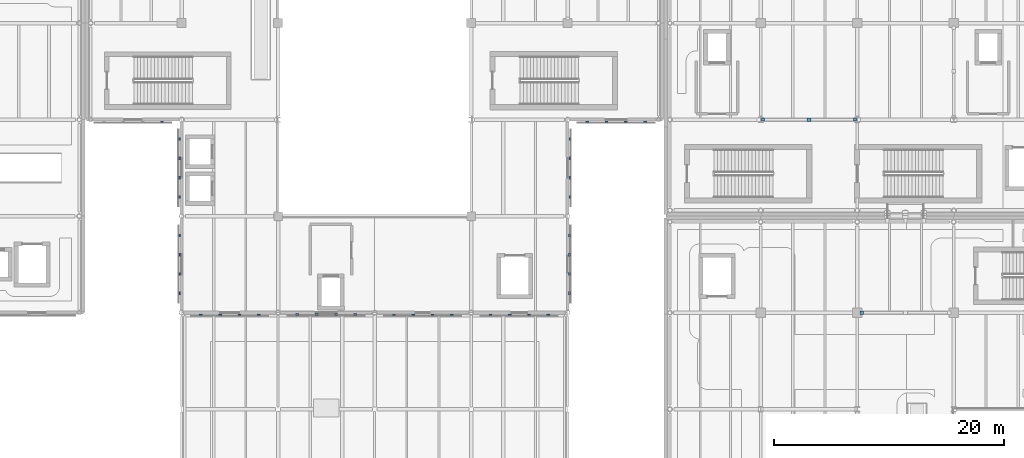
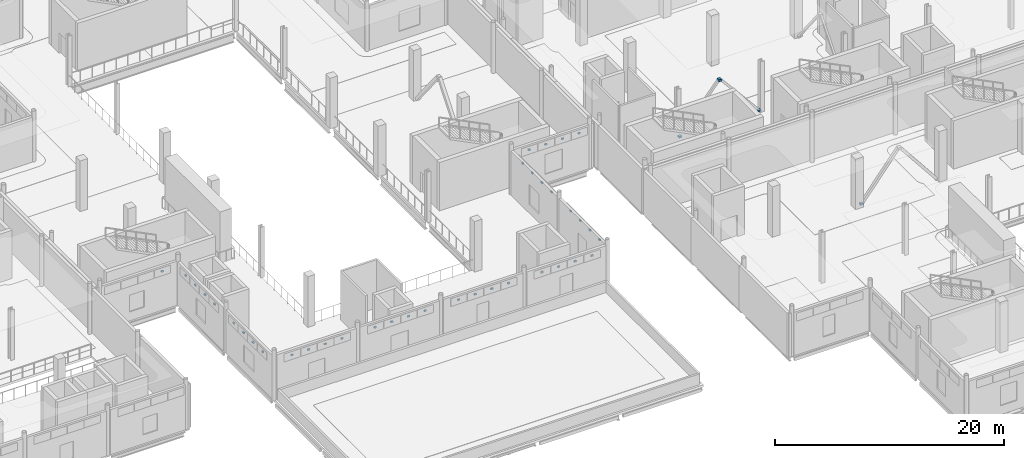
# One storey, part 77 of 110: 41 discrete accessories.
"""IFC4 building model written with IfcOpenShell, lengths in metres."""

from ifc_helpers import new_model, si_unit, direction, frame, origin, origin_2d, place, context, subcontext, project, spatial, rectangle, extrude, material, type_object, element, save


model = new_model("IFC4")

# Units and contexts
model_context = context("Model", 3, precision=1e-05, world=origin(), true_north=direction((0.0, 1.0)))
body_context = subcontext(model_context, "Body", "Model", "MODEL_VIEW")
ifc_project = project(units=[si_unit("LENGTHUNIT", "METRE"), si_unit("AREAUNIT", "SQUARE_METRE"), si_unit("VOLUMEUNIT", "CUBIC_METRE"), si_unit("PLANEANGLEUNIT", "RADIAN"), si_unit("MASSUNIT", "GRAM", prefix="KILO"), si_unit("THERMODYNAMICTEMPERATUREUNIT", "KELVIN")], contexts=[model_context])

# Site, building, storey
site_placement = place(None, origin())
site = spatial("IfcSite", under=ifc_project, at=site_placement, CompositionType="ELEMENT")
building_placement = place(site_placement, origin())
building = spatial("IfcBuilding", under=site, at=building_placement, Name="Lustrewick Department Store", CompositionType="ELEMENT")
storey_placement = place(building_placement, frame((0.0, 0.0, 6.0)))
storey = spatial("IfcBuildingStorey", under=building, at=storey_placement, Name="L02", CompositionType="ELEMENT", Elevation=6.0)

# Discrete accessories
ifc_material_1 = material(Name="Anodized filigree aluminium 6061-T6", Category="aluminium")
discrete_accessory_type_1 = type_object("IfcDiscreteAccessoryType", Name="BRK-FIL", PredefinedType="BRACKET", material=ifc_material_1)
for number, where, z_axis, x_axis, name in (
    (1, (68.8798828125, 41.800048828125, 4.20703125), (0.0, 0.0, 1.0), (1.0, 0.0, 0.0), "L02 Filigree Stand-Off Bracket 0077"),
    (2, (70.56005859375, 41.800048828125, 4.20703125), (0.0, 0.0, 1.0), (1.0, 0.0, 0.0), "L02 Filigree Stand-Off Bracket 0078"),
    (3, (72.239990234375, 41.800048828125, 4.20703125), (0.0, 0.0, 1.0), (1.0, 0.0, 0.0), "L02 Filigree Stand-Off Bracket 0079"),
    (4, (73.919921875, 41.800048828125, 4.20703125), (0.0, 0.0, 1.0), (1.0, 0.0, 0.0), "L02 Filigree Stand-Off Bracket 0080"),
    (5, (77.280029296875, 41.820068359375, 4.20703125), (0.0, 0.0, 1.0), (1.0, 0.0, 0.0), "L02 Filigree Stand-Off Bracket 0081"),
    (6, (78.9599609375, 41.820068359375, 4.20703125), (0.0, 0.0, 1.0), (1.0, 0.0, 0.0), "L02 Filigree Stand-Off Bracket 0082"),
    (7, (80.639892578125, 41.820068359375, 4.20703125), (0.0, 0.0, 1.0), (1.0, 0.0, 0.0), "L02 Filigree Stand-Off Bracket 0083"),
    (8, (82.320068359375, 41.820068359375, 4.20703125), (0.0, 0.0, 1.0), (1.0, 0.0, 0.0), "L02 Filigree Stand-Off Bracket 0084"),
    (9, (85.679931640625, 41.81005859375, 4.20703125), (0.0, 0.0, 1.0), (1.0, 0.0, 0.0), "L02 Filigree Stand-Off Bracket 0085"),
    (10, (87.360107421875, 41.81005859375, 4.20703125), (0.0, 0.0, 1.0), (1.0, 0.0, 0.0), "L02 Filigree Stand-Off Bracket 0086"),
    (11, (89.0400390625, 41.81005859375, 4.20703125), (0.0, 0.0, 1.0), (1.0, 0.0, 0.0), "L02 Filigree Stand-Off Bracket 0087"),
    (12, (90.719970703125, 41.81005859375, 4.20703125), (0.0, 0.0, 1.0), (1.0, 0.0, 0.0), "L02 Filigree Stand-Off Bracket 0088"),
    (13, (94.080078125, 41.800048828125, 4.20703125), (0.0, 0.0, 1.0), (1.0, 0.0, 0.0), "L02 Filigree Stand-Off Bracket 0089"),
    (14, (95.760009765625, 41.800048828125, 4.20703125), (0.0, 0.0, 1.0), (1.0, 0.0, 0.0), "L02 Filigree Stand-Off Bracket 0090"),
    (15, (97.43994140625, 41.800048828125, 4.20703125), (0.0, 0.0, 1.0), (1.0, 0.0, 0.0), "L02 Filigree Stand-Off Bracket 0091"),
    (16, (99.1201171875, 41.800048828125, 4.20703125), (0.0, 0.0, 1.0), (1.0, 0.0, 0.0), "L02 Filigree Stand-Off Bracket 0092"),
    (17, (100.97998046875, 43.687255859375, 4.1171875), (0.0, 0.0, 1.0), (0.0, 1.0, 0.0), "L02 Filigree Stand-Off Bracket 0093"),
    (18, (100.97998046875, 45.3671875, 4.1171875), (0.0, 0.0, 1.0), (0.0, 1.0, 0.0), "L02 Filigree Stand-Off Bracket 0094"),
    (19, (100.97998046875, 47.04736328125, 4.1171875), (0.0, 0.0, 1.0), (0.0, 1.0, 0.0), "L02 Filigree Stand-Off Bracket 0095"),
    (20, (100.97998046875, 48.727294921875, 4.1171875), (0.0, 0.0, 1.0), (0.0, 1.0, 0.0), "L02 Filigree Stand-Off Bracket 0096"),
    (21, (100.989990234375, 52.07275390625, 4.1171875), (0.0, 0.0, 1.0), (0.0, 1.0, 0.0), "L02 Filigree Stand-Off Bracket 0097"),
    (22, (100.989990234375, 53.752685546875, 4.1171875), (0.0, 0.0, 1.0), (0.0, 1.0, 0.0), "L02 Filigree Stand-Off Bracket 0098"),
    (23, (100.989990234375, 55.4326171875, 4.1171875), (0.0, 0.0, 1.0), (0.0, 1.0, 0.0), "L02 Filigree Stand-Off Bracket 0099"),
    (24, (100.989990234375, 57.11279296875, 4.1171875), (0.0, 0.0, 1.0), (0.0, 1.0, 0.0), "L02 Filigree Stand-Off Bracket 0100"),
    (25, (102.50390625, 58.610107421875, 4.1171875), (0.0, 0.0, 1.0), (1.0, 0.0, 0.0), "L02 Filigree Stand-Off Bracket 0101"),
    (26, (104.18408203125, 58.610107421875, 4.1171875), (0.0, 0.0, 1.0), (1.0, 0.0, 0.0), "L02 Filigree Stand-Off Bracket 0102"),
    (27, (105.864013671875, 58.610107421875, 4.1171875), (0.0, 0.0, 1.0), (1.0, 0.0, 0.0), "L02 Filigree Stand-Off Bracket 0103"),
    (28, (107.5439453125, 58.610107421875, 4.1171875), (0.0, 0.0, 1.0), (1.0, 0.0, 0.0), "L02 Filigree Stand-Off Bracket 0104"),
    (29, (65.49609375, 58.610107421875, 4.1171875), (0.0, 0.0, 1.0), (1.0, 0.0, 0.0), "L02 Filigree Stand-Off Bracket 0153"),
    (30, (67.0, 57.11279296875, 4.05126953125), (0.0, 0.0, 1.0), (0.0, -1.0, 0.0), "L02 Filigree Stand-Off Bracket 0154"),
    (31, (67.0, 55.4326171875, 4.05126953125), (0.0, 0.0, 1.0), (0.0, -1.0, 0.0), "L02 Filigree Stand-Off Bracket 0155"),
    (32, (67.0, 53.752685546875, 4.05126953125), (0.0, 0.0, 1.0), (0.0, -1.0, 0.0), "L02 Filigree Stand-Off Bracket 0156"),
    (33, (67.0, 52.07275390625, 4.05126953125), (0.0, 0.0, 1.0), (0.0, -1.0, 0.0), "L02 Filigree Stand-Off Bracket 0157"),
    (34, (67.02001953125, 48.727294921875, 4.05126953125), (0.0, 0.0, 1.0), (0.0, -1.0, 0.0), "L02 Filigree Stand-Off Bracket 0158"),
    (35, (67.02001953125, 47.04736328125, 4.05126953125), (0.0, 0.0, 1.0), (0.0, -1.0, 0.0), "L02 Filigree Stand-Off Bracket 0159"),
    (36, (67.02001953125, 45.3671875, 4.05126953125), (0.0, 0.0, 1.0), (0.0, -1.0, 0.0), "L02 Filigree Stand-Off Bracket 0160"),
    (37, (67.02001953125, 43.687255859375, 4.05126953125), (0.0, 0.0, 1.0), (0.0, -1.0, 0.0), "L02 Filigree Stand-Off Bracket 0161"),
):
    element("IfcDiscreteAccessory", number, at=place(storey_placement, frame(where, z_axis=z_axis, x_axis=x_axis)), inside=storey, type_object=discrete_accessory_type_1, Name=name, PredefinedType="BRACKET", context=body_context, shape_type="SweptSolid", body=[
        extrude(rectangle(XDim=0.239990234375, YDim=0.139892578125, at=origin_2d()), origin(), (0.0, 0.0, 1.0), 0.159912109375),
    ])
ifc_material_2 = material(Name="Structural steel Q355C", Category="steel")
discrete_accessory_type_2 = type_object("IfcDiscreteAccessoryType", Name="GUS-NODE", PredefinedType="BRACKET", material=ifc_material_2)
for number, where, z_axis, x_axis, name in (
    (38, (126.39990234375, 42.0, 0.06005859375), (0.0, 0.0, 1.0), (1.0, 0.0, 0.0), "L02 V3 Brace Base Gusset Plate"),
    (39, (117.802490234375, 58.800048828125, 0.06005859375), (0.0, 0.0, 1.0), (1.0, 0.0, 0.0), "L02 V4 Brace Base Gusset Plate"),
    (40, (125.797607421875, 58.800048828125, 0.06005859375), (0.0, 0.0, 1.0), (1.0, 0.0, 0.0), "L02 V4 Brace Base Gusset Plate"),
):
    element("IfcDiscreteAccessory", number, at=place(storey_placement, frame(where, z_axis=z_axis, x_axis=x_axis)), inside=storey, type_object=discrete_accessory_type_2, Name=name, PredefinedType="BRACKET", context=body_context, shape_type="SweptSolid", body=[
        extrude(rectangle(XDim=0.280029296875, YDim=0.280029296875, at=origin_2d()), origin(), (0.0, 0.0, 1.0), 0.179931640625),
    ])
discrete_accessory_placement = place(storey_placement, frame((121.800048828125, 58.800048828125, 4.68505859375), z_axis=(0.0, 0.0, 1.0), x_axis=(1.0, 0.0, 0.0)))
element("IfcDiscreteAccessory", 41, at=discrete_accessory_placement, inside=storey, type_object=discrete_accessory_type_2, Name="L02 V4 Chevron Brace Apex Gusset Plate", PredefinedType="BRACKET", context=body_context, shape_type="SweptSolid", body=[
    extrude(rectangle(XDim=0.320068359375, YDim=0.320068359375, at=origin_2d()), origin(), (0.0, 0.0, 1.0), 0.219970703125),
])

save(model, "model.ifc")
